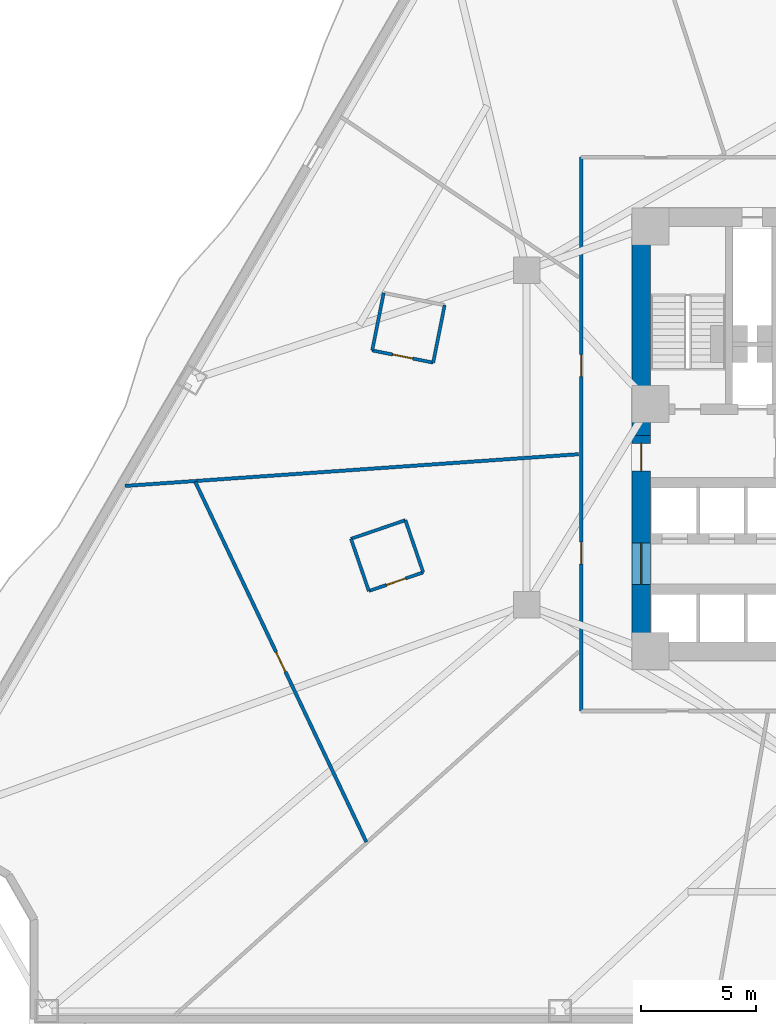
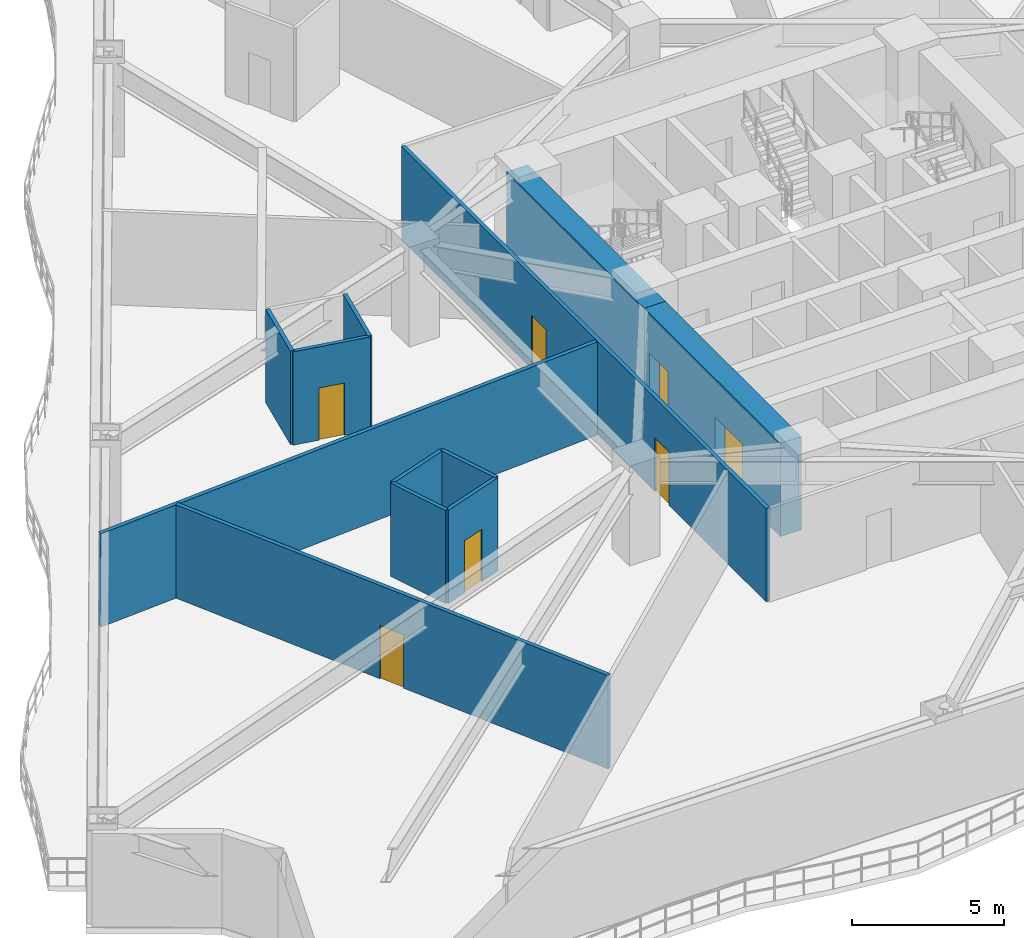
# One storey, part 3 of 12: 12 walls, 7 doors, 7 openings.
"""IFC4 building model written with IfcOpenShell, lengths in metres."""

from ifc_helpers import new_model, si_unit, direction, frame, frame_2d, origin, place, context, subcontext, project, spatial, rectangle, extrude, material, layer, layer_set, type_object, element, fill, save


model = new_model("IFC4")

# Units and contexts
model_context = context("Model", 3, precision=1e-05, world=origin(), true_north=direction((0.0, 1.0)))
body_context = subcontext(model_context, "Body", "Model", "MODEL_VIEW")
ifc_project = project(units=[si_unit("LENGTHUNIT", "METRE"), si_unit("AREAUNIT", "SQUARE_METRE"), si_unit("VOLUMEUNIT", "CUBIC_METRE"), si_unit("PLANEANGLEUNIT", "RADIAN"), si_unit("MASSUNIT", "GRAM", prefix="KILO")], contexts=[model_context])

# Site, building, storey
site_placement = place(None, origin())
site = spatial("IfcSite", under=ifc_project, at=site_placement, CompositionType="ELEMENT")
building_placement = place(site_placement, origin())
building = spatial("IfcBuilding", under=site, at=building_placement, Name="Apsidion Concourse Tower", CompositionType="ELEMENT")
storey_placement = place(building_placement, frame((0.0, 0.0, 34.39990234375)))
storey = spatial("IfcBuildingStorey", under=building, at=storey_placement, Name="L06", CompositionType="ELEMENT", Elevation=34.39990234375)

# Walls
ifc_material_1 = material(Name="Gypsum plasterboard partition")
ifc_layer_1 = layer(ifc_material_1, 0.139892578125)
ifc_layer_set_1 = layer_set([ifc_layer_1], Name="Gypsum plasterboard partition")
wall_type_1 = type_object("IfcWallType", Name="WL-INT-PAR-140", PredefinedType="PARTITIONING", material=ifc_layer_set_1)
wall_1_placement = place(storey_placement, frame((-17.8134765625, -3.579345703125, 0.0), z_axis=(0.0, 0.0, 1.0), x_axis=(-0.946073071665, -0.323953303843, 0.0)))
element("IfcWall", 1, at=wall_1_placement, inside=storey, type_object=wall_type_1, Name="L06 Interior Partition WL-L06-POD-HKAWC-S1", PredefinedType="PARTITIONING", context=body_context, shape_type="SweptSolid", body=[
    extrude(rectangle(XDim=2.489990234375, YDim=0.139892578125, at=frame_2d((1.2451171875, 0.0))), origin(), (0.0, 0.0, 1.0), 3.75),
])
wall_2_placement = place(storey_placement, frame((-20.169189453125, -4.385986328125, 0.0), z_axis=(0.0, 0.0, 1.0), x_axis=(0.323909063217, -0.946088219336, 0.0)))
element("IfcWall", 2, at=wall_2_placement, inside=storey, type_object=wall_type_1, Name="L06 Interior Partition WL-L06-POD-HKAWC-S2", PredefinedType="PARTITIONING", context=body_context, shape_type="SweptSolid", body=[
    extrude(rectangle(XDim=2.39013671875, YDim=0.139892578125, at=frame_2d((1.195068359375, 0.0))), origin(), (0.0, 0.0, 1.0), 3.75),
])

# Wall, opening, door
wall_3_placement = place(storey_placement, frame((-19.39501953125, -6.647216796875, 0.0), z_axis=(0.0, 0.0, 1.0), x_axis=(0.946073071665, 0.323953303843, 0.0)))
wall_3 = element("IfcWall", 3, at=wall_3_placement, inside=storey, type_object=wall_type_1, Name="L06 Interior Partition WL-L06-POD-HKAWC-S3", PredefinedType="PARTITIONING", context=body_context, shape_type="SweptSolid", body=[
    extrude(rectangle(XDim=2.489990234375, YDim=0.139892578125, at=frame_2d((1.2451171875, 0.0))), origin(), (0.0, 0.0, 1.0), 3.75),
])
opening_1_placement = place(wall_3_placement, frame((0.804931640625, 0.0, 0.0)))
opening_1 = element("IfcOpeningElement", 4, at=opening_1_placement, cuts=wall_3, Name="Opening D-03L", PredefinedType="OPENING", context=body_context, shape_type="SweptSolid", body=[
    extrude(rectangle(XDim=0.8798828125, YDim=2.10009765625, at=frame_2d((0.43994140625, 1.050048828125))), frame((0.0, 0.080078125, 0.0), z_axis=(0.0, -1.0, 0.0), x_axis=(1.0, 0.0, 0.0)), (0.0, 0.0, 1.0), 0.159912109375),
])
ifc_material_2 = material(Name="Anodised aluminium EN AW-6063 T6", Category="aluminium")
door_type_1 = type_object("IfcDoorType", Name="DR-INT-D03L", OperationType="SINGLE_SWING_LEFT", PredefinedType="DOOR", material=ifc_material_2)
door_1_placement = place(opening_1_placement, origin())
door_1 = element("IfcDoor", 5, at=door_1_placement, inside=storey, type_object=door_type_1, Name="L06 Hotel Accessible WC Door HKAWC", OperationType="SINGLE_SWING_LEFT", OverallHeight=2.10009765625, OverallWidth=0.8798828125, PredefinedType="DOOR", context=body_context, shape_type="SweptSolid", body=[
    extrude(rectangle(XDim=0.8798828125, YDim=2.10009765625, at=frame_2d((0.43994140625, 1.050048828125))), frame((0.0, 0.02490234375, 0.0), z_axis=(0.0, -1.0, 0.0), x_axis=(1.0, 0.0, 0.0)), (0.0, 0.0, 1.0), 0.050048828125),
])
fill(opening_1, door_1)

# Walls
wall_4_placement = place(storey_placement, frame((-17.039306640625, -5.840576171875, 0.0), z_axis=(0.0, 0.0, 1.0), x_axis=(-0.323909063217, 0.946088219336, 0.0)))
element("IfcWall", 6, at=wall_4_placement, inside=storey, type_object=wall_type_1, Name="L06 Interior Partition WL-L06-POD-HKAWC-S4", PredefinedType="PARTITIONING", context=body_context, shape_type="SweptSolid", body=[
    extrude(rectangle(XDim=2.39013671875, YDim=0.139892578125, at=frame_2d((1.195068359375, 0.0))), origin(), (0.0, 0.0, 1.0), 3.75),
])
wall_5_placement = place(storey_placement, frame((-18.749755859375, 6.266845703125, 0.0), z_axis=(0.0, 0.0, 1.0), x_axis=(-0.195986742402, -0.98060654536, 0.0)))
element("IfcWall", 7, at=wall_5_placement, inside=storey, type_object=wall_type_1, Name="L06 Interior Partition WL-L06-POD-ENS09-S2", PredefinedType="PARTITIONING", context=body_context, shape_type="SweptSolid", body=[
    extrude(rectangle(XDim=2.5400390625, YDim=0.139892578125, at=frame_2d((1.27001953125, 0.0))), origin(), (0.0, 0.0, 1.0), 3.75),
])

# Wall, opening, door
wall_6_placement = place(storey_placement, frame((-19.24755859375, 3.776123046875, 0.0), z_axis=(0.0, 0.0, 1.0), x_axis=(0.980615566205, -0.195941601799, 0.0)))
wall_6 = element("IfcWall", 8, at=wall_6_placement, inside=storey, type_object=wall_type_1, Name="L06 Interior Partition WL-L06-POD-ENS09-S3", PredefinedType="PARTITIONING", context=body_context, shape_type="SweptSolid", body=[
    extrude(rectangle(XDim=2.690185546875, YDim=0.139892578125, at=frame_2d((1.34521484375, 0.0))), origin(), (0.0, 0.0, 1.0), 3.75),
])
opening_2_placement = place(wall_6_placement, frame((0.905029296875, 0.0, 0.0)))
opening_2 = element("IfcOpeningElement", 9, at=opening_2_placement, cuts=wall_6, Name="Opening D-03R", PredefinedType="OPENING", context=body_context, shape_type="SweptSolid", body=[
    extrude(rectangle(XDim=0.8798828125, YDim=2.10009765625, at=frame_2d((0.43994140625, 1.050048828125))), frame((0.0, 0.080078125, 0.0), z_axis=(0.0, -1.0, 0.0), x_axis=(1.0, 0.0, 0.0)), (0.0, 0.0, 1.0), 0.159912109375),
])
door_type_2 = type_object("IfcDoorType", Name="DR-INT-D03R", OperationType="SINGLE_SWING_RIGHT", PredefinedType="DOOR", material=ifc_material_2)
door_2_placement = place(opening_2_placement, origin())
door_2 = element("IfcDoor", 10, at=door_2_placement, inside=storey, type_object=door_type_2, Name="L06 Guest En-Suite Bathroom Door ENS09", OperationType="SINGLE_SWING_RIGHT", OverallHeight=2.10009765625, OverallWidth=0.8798828125, PredefinedType="DOOR", context=body_context, shape_type="SweptSolid", body=[
    extrude(rectangle(XDim=0.8798828125, YDim=2.10009765625, at=frame_2d((0.43994140625, 1.050048828125))), frame((0.0, 0.02490234375, 0.0), z_axis=(0.0, -1.0, 0.0), x_axis=(1.0, 0.0, 0.0)), (0.0, 0.0, 1.0), 0.050048828125),
])
fill(opening_2, door_2)

# Wall
wall_7_placement = place(storey_placement, frame((-16.609619140625, 3.2490234375, 0.0), z_axis=(0.0, 0.0, 1.0), x_axis=(0.195986742402, 0.98060654536, 0.0)))
element("IfcWall", 11, at=wall_7_placement, inside=storey, type_object=wall_type_1, Name="L06 Interior Partition WL-L06-POD-ENS09-S4", PredefinedType="PARTITIONING", context=body_context, shape_type="SweptSolid", body=[
    extrude(rectangle(XDim=2.5400390625, YDim=0.139892578125, at=frame_2d((1.27001953125, 0.0))), origin(), (0.0, 0.0, 1.0), 3.75),
])

# Wall, openings, doors
ifc_layer_2 = layer(ifc_material_1, 0.14990234375)
ifc_layer_set_2 = layer_set([ifc_layer_2], Name="Gypsum plasterboard partition")
wall_type_2 = type_object("IfcWallType", Name="WL-INT-PAR-150", PredefinedType="PARTITIONING", material=ifc_layer_set_2)
wall_8_placement = place(storey_placement, frame((-10.199951171875, -11.85009765625, 0.0), z_axis=(0.0, 0.0, 1.0), x_axis=(0.0, 1.0, 0.0)))
wall_8 = element("IfcWall", 12, at=wall_8_placement, inside=storey, type_object=wall_type_2, Name="L06 Interior Partition WL-L06-CORR-04", PredefinedType="PARTITIONING", context=body_context, shape_type="SweptSolid", body=[
    extrude(rectangle(XDim=24.0, YDim=0.14990234375, at=frame_2d((12.0, 0.0))), origin(), (0.0, 0.0, 1.0), 3.75),
])
opening_3_placement = place(wall_8_placement, frame((6.372314453125, 0.0, 0.0)))
opening_3 = element("IfcOpeningElement", 13, at=opening_3_placement, cuts=wall_8, Name="Opening D-01L", PredefinedType="OPENING", context=body_context, shape_type="SweptSolid", body=[
    extrude(rectangle(XDim=0.949951171875, YDim=2.14990234375, at=frame_2d((0.47509765625, 1.074951171875))), frame((0.0, 0.0849609375, 0.0), z_axis=(0.0, -1.0, 0.0), x_axis=(1.0, 0.0, 0.0)), (0.0, 0.0, 1.0), 0.169921875),
])
opening_4_placement = place(wall_8_placement, frame((14.489013671875, 0.0, 0.0)))
opening_4 = element("IfcOpeningElement", 14, at=opening_4_placement, cuts=wall_8, Name="Opening D-01R", PredefinedType="OPENING", context=body_context, shape_type="SweptSolid", body=[
    extrude(rectangle(XDim=0.949951171875, YDim=2.14990234375, at=frame_2d((0.47509765625, 1.074951171875))), frame((0.0, 0.0849609375, 0.0), z_axis=(0.0, -1.0, 0.0), x_axis=(1.0, 0.0, 0.0)), (0.0, 0.0, 1.0), 0.169921875),
])
ifc_material_3 = material(Name="Brushed stainless steel 316", Category="steel")
door_type_3 = type_object("IfcDoorType", Name="DR-INT-D01L", OperationType="SINGLE_SWING_LEFT", PredefinedType="DOOR", material=ifc_material_3)
door_3_placement = place(opening_3_placement, origin())
door_3 = element("IfcDoor", 15, at=door_3_placement, inside=storey, type_object=door_type_3, Name="L06 Corridor Entry Door 01", OperationType="SINGLE_SWING_LEFT", OverallHeight=2.14990234375, OverallWidth=0.949951171875, PredefinedType="DOOR", context=body_context, shape_type="SweptSolid", body=[
    extrude(rectangle(XDim=0.949951171875, YDim=2.14990234375, at=frame_2d((0.47509765625, 1.074951171875))), frame((0.0, 0.02490234375, 0.0), z_axis=(0.0, -1.0, 0.0), x_axis=(1.0, 0.0, 0.0)), (0.0, 0.0, 1.0), 0.050048828125),
])
fill(opening_3, door_3)
door_type_4 = type_object("IfcDoorType", Name="DR-INT-D01R", OperationType="SINGLE_SWING_RIGHT", PredefinedType="DOOR", material=ifc_material_3)
door_4_placement = place(opening_4_placement, origin())
door_4 = element("IfcDoor", 16, at=door_4_placement, inside=storey, type_object=door_type_4, Name="L06 Corridor Entry Door 10", OperationType="SINGLE_SWING_RIGHT", OverallHeight=2.14990234375, OverallWidth=0.949951171875, PredefinedType="DOOR", context=body_context, shape_type="SweptSolid", body=[
    extrude(rectangle(XDim=0.949951171875, YDim=2.14990234375, at=frame_2d((0.47509765625, 1.074951171875))), frame((0.0, 0.02490234375, 0.0), z_axis=(0.0, -1.0, 0.0), x_axis=(1.0, 0.0, 0.0)), (0.0, 0.0, 1.0), 0.050048828125),
])
fill(opening_4, door_4)

# Wall
wall_9_placement = place(storey_placement, frame((-10.304931640625, -0.720703125, 0.0), z_axis=(0.0, 0.0, 1.0), x_axis=(-0.997564481565, -0.069750305525, 0.0)))
element("IfcWall", 17, at=wall_9_placement, inside=storey, type_object=wall_type_2, Name="L06 Interior Partition WL-L06-RAD-06-1", PredefinedType="PARTITIONING", context=body_context, shape_type="SweptSolid", body=[
    extrude(rectangle(XDim=19.695556640625, YDim=0.14990234375, at=frame_2d((9.84765625, 0.0))), origin(), (0.0, 0.0, 1.0), 3.75),
])

# Wall, opening, door
wall_10_placement = place(storey_placement, frame((-26.921630859375, -1.90771484375, 0.0), z_axis=(0.0, 0.0, 1.0), x_axis=(0.429066894507, -0.903272716314, 0.0)))
wall_10 = element("IfcWall", 18, at=wall_10_placement, inside=storey, type_object=wall_type_2, Name="L06 Interior Partition WL-L06-CHD-HKWC", PredefinedType="PARTITIONING", context=body_context, shape_type="SweptSolid", body=[
    extrude(rectangle(XDim=17.29150390625, YDim=0.14990234375, at=frame_2d((8.645751953125, 0.0))), origin(), (0.0, 0.0, 1.0), 3.75),
])
opening_5_placement = place(wall_10_placement, frame((8.170654296875, 0.0, 0.0)))
opening_5 = element("IfcOpeningElement", 19, at=opening_5_placement, cuts=wall_10, Name="Opening D-04R", PredefinedType="OPENING", context=body_context, shape_type="SweptSolid", body=[
    extrude(rectangle(XDim=0.949951171875, YDim=2.14990234375, at=frame_2d((0.47509765625, 1.074951171875))), frame((0.0, 0.0849609375, 0.0), z_axis=(0.0, -1.0, 0.0), x_axis=(1.0, 0.0, 0.0)), (0.0, 0.0, 1.0), 0.169921875),
])
door_type_5 = type_object("IfcDoorType", Name="DR-INT-D04R", OperationType="SINGLE_SWING_RIGHT", PredefinedType="DOOR", material=ifc_material_3)
door_5_placement = place(opening_5_placement, origin())
door_5 = element("IfcDoor", 20, at=door_5_placement, inside=storey, type_object=door_type_5, Name="L06 Suite Connecting Door HKWC", OperationType="SINGLE_SWING_RIGHT", OverallHeight=2.14990234375, OverallWidth=0.949951171875, PredefinedType="DOOR", context=body_context, shape_type="SweptSolid", body=[
    extrude(rectangle(XDim=0.949951171875, YDim=2.14990234375, at=frame_2d((0.47509765625, 1.074951171875))), frame((0.0, 0.02490234375, 0.0), z_axis=(0.0, -1.0, 0.0), x_axis=(1.0, 0.0, 0.0)), (0.0, 0.0, 1.0), 0.050048828125),
])
fill(opening_5, door_5)

# Wall
ifc_material_4 = material(Name="Concrete C60/75", Category="concrete")
ifc_layer_3 = layer(ifc_material_4, 0.800048828125)
ifc_layer_set_3 = layer_set([ifc_layer_3], Name="Concrete C60/75")
wall_type_3 = type_object("IfcWallType", Name="WL-SH-800", PredefinedType="SHEAR", material=ifc_layer_set_3)
wall_11_placement = place(storey_placement, frame((-7.60009765625, 0.10009765625, 0.0), z_axis=(0.0, 0.0, 1.0), x_axis=(0.0, 1.0, 0.0)))
element("IfcWall", 21, at=wall_11_placement, inside=storey, type_object=wall_type_3, Name="L06 Central Core Shear Wall WN", PredefinedType="SHEAR", context=body_context, shape_type="SweptSolid", body=[
    extrude(rectangle(XDim=9.0498046875, YDim=0.800048828125, at=frame_2d((4.52490234375, 0.0))), origin(), (0.0, 0.0, 1.0), 3.75),
])

# Wall, openings, doors
wall_12_placement = place(storey_placement, frame((-7.60009765625, -8.85009765625, 0.0), z_axis=(0.0, 0.0, 1.0), x_axis=(0.0, 1.0, 0.0)))
wall_12 = element("IfcWall", 22, at=wall_12_placement, inside=storey, type_object=wall_type_3, Name="L06 Central Core Shear Wall WS", PredefinedType="SHEAR", context=body_context, shape_type="SweptSolid", body=[
    extrude(rectangle(XDim=8.9501953125, YDim=0.800048828125, at=frame_2d((4.47509765625, 0.0))), origin(), (0.0, 0.0, 1.0), 3.75),
])
opening_6_placement = place(wall_12_placement, frame((2.489990234375, 0.0, 0.0)))
opening_6 = element("IfcOpeningElement", 23, at=opening_6_placement, cuts=wall_12, Name="Opening D-06D", PredefinedType="OPENING", context=body_context, shape_type="SweptSolid", body=[
    extrude(rectangle(XDim=1.800048828125, YDim=2.199951171875, at=frame_2d((0.89990234375, 1.10009765625))), frame((0.0, 0.41015625, 0.0), z_axis=(0.0, -1.0, 0.0), x_axis=(1.0, 0.0, 0.0)), (0.0, 0.0, 1.0), 0.820068359375),
])
opening_7_placement = place(wall_12_placement, frame((7.39990234375, 0.0, 0.0)))
opening_7 = element("IfcOpeningElement", 24, at=opening_7_placement, cuts=wall_12, Name="Opening D-FFL", PredefinedType="OPENING", context=body_context, shape_type="SweptSolid", body=[
    extrude(rectangle(XDim=1.199951171875, YDim=2.14990234375, at=frame_2d((0.60009765625, 1.074951171875))), frame((0.0, 0.41015625, 0.0), z_axis=(0.0, -1.0, 0.0), x_axis=(1.0, 0.0, 0.0)), (0.0, 0.0, 1.0), 0.820068359375),
])
door_type_6 = type_object("IfcDoorType", Name="DR-INT-D06D", OperationType="DOUBLE_DOOR_SINGLE_SWING", PredefinedType="DOOR", material=ifc_material_3)
door_6_placement = place(opening_6_placement, origin())
door_6 = element("IfcDoor", 25, at=door_6_placement, inside=storey, type_object=door_type_6, Name="L06 Passenger Lift Lobby WS Portal Door", OperationType="DOUBLE_DOOR_SINGLE_SWING", OverallHeight=2.199951171875, OverallWidth=1.800048828125, PredefinedType="DOOR", context=body_context, shape_type="SweptSolid", body=[
    extrude(rectangle(XDim=1.800048828125, YDim=2.199951171875, at=frame_2d((0.89990234375, 1.10009765625))), frame((0.0, 0.02490234375, 0.0), z_axis=(0.0, -1.0, 0.0), x_axis=(1.0, 0.0, 0.0)), (0.0, 0.0, 1.0), 0.050048828125),
])
fill(opening_6, door_6)
door_type_7 = type_object("IfcDoorType", Name="DR-INT-FFL", OperationType="SINGLE_SWING_LEFT", PredefinedType="DOOR", material=ifc_material_3)
door_7_placement = place(opening_7_placement, origin())
door_7 = element("IfcDoor", 26, at=door_7_placement, inside=storey, type_object=door_type_7, Name="L06 Firefighting Lift Lobby FF1 Door", OperationType="SINGLE_SWING_LEFT", OverallHeight=2.14990234375, OverallWidth=1.199951171875, PredefinedType="DOOR", context=body_context, shape_type="SweptSolid", body=[
    extrude(rectangle(XDim=1.199951171875, YDim=2.14990234375, at=frame_2d((0.60009765625, 1.074951171875))), frame((0.0, 0.02490234375, 0.0), z_axis=(0.0, -1.0, 0.0), x_axis=(1.0, 0.0, 0.0)), (0.0, 0.0, 1.0), 0.050048828125),
])
fill(opening_7, door_7)

save(model, "model.ifc")
